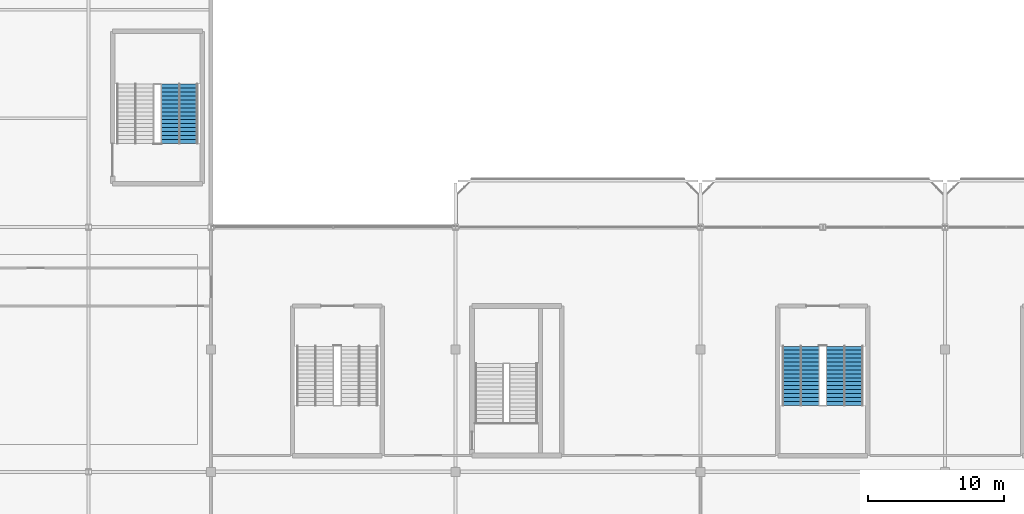
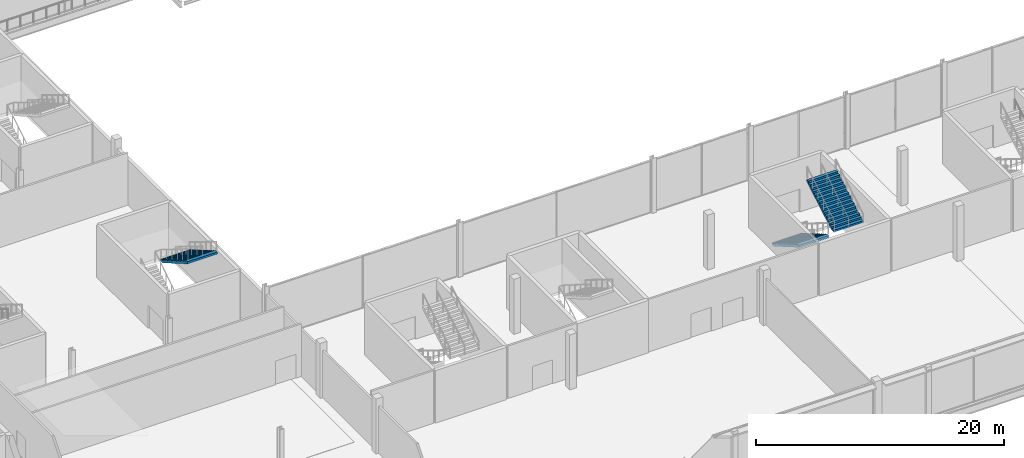
# One storey, part 83 of 113: 3 stair flights, 2 elements without a shape of their own.
"""IFC4 building model written with IfcOpenShell, lengths in metres."""

from ifc_helpers import new_model, si_unit, direction, frame, origin, place, context, subcontext, project, spatial, polygons, material, type_object, element, aggregate, save


model = new_model("IFC4")

# Units and contexts
model_context = context("Model", 3, precision=1e-05, world=origin(), true_north=direction((0.0, 1.0)))
body_context = subcontext(model_context, "Body", "Model", "MODEL_VIEW")
ifc_project = project(units=[si_unit("LENGTHUNIT", "METRE"), si_unit("AREAUNIT", "SQUARE_METRE"), si_unit("VOLUMEUNIT", "CUBIC_METRE"), si_unit("PLANEANGLEUNIT", "RADIAN"), si_unit("MASSUNIT", "GRAM", prefix="KILO")], contexts=[model_context])

# Site, building, storey
site_placement = place(None, origin())
site = spatial("IfcSite", under=ifc_project, at=site_placement, CompositionType="ELEMENT")
building_placement = place(site_placement, origin())
building = spatial("IfcBuilding", under=site, at=building_placement, Name="Kisiwana Market Hall", CompositionType="ELEMENT")
storey_placement = place(building_placement, frame((0.0, 0.0, 6.0)))
storey = spatial("IfcBuildingStorey", under=building, at=storey_placement, Name="L01", CompositionType="ELEMENT", Elevation=6.0)

# Stair, stair flight
ifc_material_1 = material(Name="Concrete C32/40", Category="concrete")
stair_type = type_object("IfcStairType", Name="ST-ESC-5400", PredefinedType="TWO_STRAIGHT_RUN_STAIR", material=ifc_material_1)
stair_1_placement = place(storey_placement, origin())
stair_1 = element("IfcStair", 1, at=stair_1_placement, inside=storey, type_object=stair_type, Name="Escape stair ST-W9-L01", PredefinedType="TWO_STRAIGHT_RUN_STAIR")
ifc_material_2 = material(Name="Concrete C32/40", Category="concrete")
stair_flight_type = type_object("IfcStairFlightType", Name="SF-ESC-5400", PredefinedType="STRAIGHT", material=ifc_material_2)
stair_flight_1_placement = place(storey_placement, frame((42.679931640625, 46.510009765625, 2.699951171875), z_axis=(0.0, 0.0, 1.0), x_axis=(0.0, -1.0, 0.0)))
stair_flight_1 = element("IfcStairFlight", 2, at=stair_flight_1_placement, type_object=stair_flight_type, Name="ST-W9-L01 flight 2", NumberOfRisers=16, NumberOfTreads=15, PredefinedType="STRAIGHT", RiserHeight=0.16875, TreadLength=0.29, context=body_context, shape_type="Tessellation", body=[
    polygons([(0.0, -1.380127, 0.0), (0.0, -0.690125, 0.0), (0.0, -0.000122, 0.0), (0.0, 0.68988, 0.0), (0.0, 1.379883, 0.0), (0.0, -1.380127, 0.168701), (0.0, -0.690125, 0.168701), (0.0, -0.000122, 0.168701), (0.0, 0.68988, 0.168701), (0.0, 1.379883, 0.168701), (0.290039, -1.380127, 0.168701), (0.290039, -0.690125, 0.168701), (0.290039, -0.000122, 0.168701), (0.290039, 0.68988, 0.168701), (0.290039, 1.379883, 0.168701), (0.290039, -1.380127, 0.337402), (0.290039, -0.690125, 0.337402), (0.290039, -0.000122, 0.337402), (0.290039, 0.68988, 0.337402), (0.290039, 1.379883, 0.337402), (0.580078, -1.380127, 0.337402), (0.580078, -0.690125, 0.337402), (0.580078, -0.000122, 0.337402), (0.580078, 0.68988, 0.337402), (0.580078, 1.379883, 0.337402), (0.580078, -1.380127, 0.506348), (0.580078, -0.690125, 0.506348), (0.580078, -0.000122, 0.506348), (0.580078, 0.68988, 0.506348), (0.580078, 1.379883, 0.506348), (0.870117, -1.380127, 0.506348), (0.870117, -0.690125, 0.506348), (0.870117, -0.000122, 0.506348), (0.870117, 0.68988, 0.506348), (0.870117, 1.379883, 0.506348), (0.870117, -1.380127, 0.675049), (0.870117, -0.690125, 0.675049), (0.870117, -0.000122, 0.675049), (0.870117, 0.68988, 0.675049), (0.870117, 1.379883, 0.675049), (1.159912, -1.380127, 0.675049), (1.159912, -0.690125, 0.675049), (1.159912, -0.000122, 0.675049), (1.159912, 0.68988, 0.675049), (1.159912, 1.379883, 0.675049), (1.159912, -1.380127, 0.84375), (1.159912, -0.690125, 0.84375), (1.159912, -0.000122, 0.84375), (1.159912, 0.68988, 0.84375), (1.159912, 1.379883, 0.84375), (1.449951, -1.380127, 0.84375), (1.449951, -0.690125, 0.84375), (1.449951, -0.000122, 0.84375), (1.449951, 0.68988, 0.84375), (1.449951, 1.379883, 0.84375), (1.449951, -1.380127, 1.012451), (1.449951, -0.690125, 1.012451), (1.449951, -0.000122, 1.012451), (1.449951, 0.68988, 1.012451), (1.449951, 1.379883, 1.012451), (1.73999, -1.380127, 1.012451), (1.73999, -0.690125, 1.012451), (1.73999, -0.000122, 1.012451), (1.73999, 0.68988, 1.012451), (1.73999, 1.379883, 1.012451), (1.73999, -1.380127, 1.181152), (1.73999, -0.690125, 1.181152), (1.73999, -0.000122, 1.181152), (1.73999, 0.68988, 1.181152), (1.73999, 1.379883, 1.181152), (2.030029, -1.380127, 1.181152), (2.030029, -0.690125, 1.181152), (2.030029, -0.000122, 1.181152), (2.030029, 0.68988, 1.181152), (2.030029, 1.379883, 1.181152), (2.030029, -1.380127, 1.350098), (2.030029, -0.690125, 1.350098), (2.030029, -0.000122, 1.350098), (2.030029, 0.68988, 1.350098), (2.030029, 1.379883, 1.350098), (2.320068, -1.380127, 1.350098), (2.320068, -0.690125, 1.350098), (2.320068, -0.000122, 1.350098), (2.320068, 0.68988, 1.350098), (2.320068, 1.379883, 1.350098), (2.320068, -1.380127, 1.518799), (2.320068, -0.690125, 1.518799), (2.320068, -0.000122, 1.518799), (2.320068, 0.68988, 1.518799), (2.320068, 1.379883, 1.518799), (2.610107, -1.380127, 1.518799), (2.610107, -0.690125, 1.518799), (2.610107, -0.000122, 1.518799), (2.610107, 0.68988, 1.518799), (2.610107, 1.379883, 1.518799), (2.610107, -1.380127, 1.6875), (2.610107, -0.690125, 1.6875), (2.610107, -0.000122, 1.6875), (2.610107, 0.68988, 1.6875), (2.610107, 1.379883, 1.6875), (2.899902, -1.380127, 1.6875), (2.899902, -0.690125, 1.6875), (2.899902, -0.000122, 1.6875), (2.899902, 0.68988, 1.6875), (2.899902, 1.379883, 1.6875), (2.899902, -1.380127, 1.856201), (2.899902, -0.690125, 1.856201), (2.899902, -0.000122, 1.856201), (2.899902, 0.68988, 1.856201), (2.899902, 1.379883, 1.856201), (3.189941, -1.380127, 1.856201), (3.189941, -0.690125, 1.856201), (3.189941, -0.000122, 1.856201), (3.189941, 0.68988, 1.856201), (3.189941, 1.379883, 1.856201), (3.189941, -1.380127, 2.024902), (3.189941, -0.690125, 2.024902), (3.189941, -0.000122, 2.024902), (3.189941, 0.68988, 2.024902), (3.189941, 1.379883, 2.024902), (3.47998, -1.380127, 2.024902), (3.47998, -0.690125, 2.024902), (3.47998, -0.000122, 2.024902), (3.47998, 0.68988, 2.024902), (3.47998, 1.379883, 2.024902), (3.47998, -1.380127, 2.193848), (3.47998, -0.690125, 2.193848), (3.47998, -0.000122, 2.193848), (3.47998, 0.68988, 2.193848), (3.47998, 1.379883, 2.193848), (3.77002, -1.380127, 2.193848), (3.77002, -0.690125, 2.193848), (3.77002, -0.000122, 2.193848), (3.77002, 0.68988, 2.193848), (3.77002, 1.379883, 2.193848), (3.77002, -1.380127, 2.362549), (3.77002, -0.690125, 2.362549), (3.77002, -0.000122, 2.362549), (3.77002, 0.68988, 2.362549), (3.77002, 1.379883, 2.362549), (4.060059, -1.380127, 2.362549), (4.060059, -0.690125, 2.362549), (4.060059, -0.000122, 2.362549), (4.060059, 0.68988, 2.362549), (4.060059, 1.379883, 2.362549), (4.060059, -1.380127, 2.53125), (4.060059, -0.690125, 2.53125), (4.060059, -0.000122, 2.53125), (4.060059, 0.68988, 2.53125), (4.060059, 1.379883, 2.53125), (4.350098, -1.380127, 2.53125), (4.350098, -0.690125, 2.53125), (4.350098, -0.000122, 2.53125), (4.350098, 0.68988, 2.53125), (4.350098, 1.379883, 2.53125), (4.350098, -1.380127, 2.322998), (4.350098, -0.690125, 2.322998), (4.350098, -0.000122, 2.322998), (4.350098, 0.68988, 2.322998), (4.350098, 1.379883, 2.322998), (0.357666, -1.380127, 0.0), (0.357666, -0.690125, 0.0), (0.357666, -0.000122, 0.0), (0.357666, 0.68988, 0.0), (0.357666, 1.379883, 0.0)], [[[1, 6, 7, 2]], [[2, 7, 8, 3]], [[3, 8, 9, 4]], [[4, 9, 10, 5]], [[6, 11, 12, 7]], [[7, 12, 13, 8]], [[8, 13, 14, 9]], [[9, 14, 15, 10]], [[11, 16, 17, 12]], [[12, 17, 18, 13]], [[13, 18, 19, 14]], [[14, 19, 20, 15]], [[16, 21, 22, 17]], [[17, 22, 23, 18]], [[18, 23, 24, 19]], [[19, 24, 25, 20]], [[21, 26, 27, 22]], [[22, 27, 28, 23]], [[23, 28, 29, 24]], [[24, 29, 30, 25]], [[26, 31, 32, 27]], [[27, 32, 33, 28]], [[28, 33, 34, 29]], [[29, 34, 35, 30]], [[31, 36, 37, 32]], [[32, 37, 38, 33]], [[33, 38, 39, 34]], [[34, 39, 40, 35]], [[36, 41, 42, 37]], [[37, 42, 43, 38]], [[38, 43, 44, 39]], [[39, 44, 45, 40]], [[41, 46, 47, 42]], [[42, 47, 48, 43]], [[43, 48, 49, 44]], [[44, 49, 50, 45]], [[46, 51, 52, 47]], [[47, 52, 53, 48]], [[48, 53, 54, 49]], [[49, 54, 55, 50]], [[51, 56, 57, 52]], [[52, 57, 58, 53]], [[53, 58, 59, 54]], [[54, 59, 60, 55]], [[56, 61, 62, 57]], [[57, 62, 63, 58]], [[58, 63, 64, 59]], [[59, 64, 65, 60]], [[61, 66, 67, 62]], [[62, 67, 68, 63]], [[63, 68, 69, 64]], [[64, 69, 70, 65]], [[66, 71, 72, 67]], [[67, 72, 73, 68]], [[68, 73, 74, 69]], [[69, 74, 75, 70]], [[71, 76, 77, 72]], [[72, 77, 78, 73]], [[73, 78, 79, 74]], [[74, 79, 80, 75]], [[76, 81, 82, 77]], [[77, 82, 83, 78]], [[78, 83, 84, 79]], [[79, 84, 85, 80]], [[81, 86, 87, 82]], [[82, 87, 88, 83]], [[83, 88, 89, 84]], [[84, 89, 90, 85]], [[86, 91, 92, 87]], [[87, 92, 93, 88]], [[88, 93, 94, 89]], [[89, 94, 95, 90]], [[91, 96, 97, 92]], [[92, 97, 98, 93]], [[93, 98, 99, 94]], [[94, 99, 100, 95]], [[96, 101, 102, 97]], [[97, 102, 103, 98]], [[98, 103, 104, 99]], [[99, 104, 105, 100]], [[101, 106, 107, 102]], [[102, 107, 108, 103]], [[103, 108, 109, 104]], [[104, 109, 110, 105]], [[106, 111, 112, 107]], [[107, 112, 113, 108]], [[108, 113, 114, 109]], [[109, 114, 115, 110]], [[111, 116, 117, 112]], [[112, 117, 118, 113]], [[113, 118, 119, 114]], [[114, 119, 120, 115]], [[116, 121, 122, 117]], [[117, 122, 123, 118]], [[118, 123, 124, 119]], [[119, 124, 125, 120]], [[121, 126, 127, 122]], [[122, 127, 128, 123]], [[123, 128, 129, 124]], [[124, 129, 130, 125]], [[126, 131, 132, 127]], [[127, 132, 133, 128]], [[128, 133, 134, 129]], [[129, 134, 135, 130]], [[131, 136, 137, 132]], [[132, 137, 138, 133]], [[133, 138, 139, 134]], [[134, 139, 140, 135]], [[136, 141, 142, 137]], [[137, 142, 143, 138]], [[138, 143, 144, 139]], [[139, 144, 145, 140]], [[141, 146, 147, 142]], [[142, 147, 148, 143]], [[143, 148, 149, 144]], [[144, 149, 150, 145]], [[146, 151, 152, 147]], [[147, 152, 153, 148]], [[148, 153, 154, 149]], [[149, 154, 155, 150]], [[151, 156, 157, 152]], [[152, 157, 158, 153]], [[153, 158, 159, 154]], [[154, 159, 160, 155]], [[156, 161, 162, 157]], [[157, 162, 163, 158]], [[158, 163, 164, 159]], [[159, 164, 165, 160]], [[161, 1, 2, 162]], [[162, 2, 3, 163]], [[163, 3, 4, 164]], [[164, 4, 5, 165]], [[161, 156, 151, 146, 141, 136, 131, 126, 121, 116, 111, 106, 101, 96, 91, 86, 81, 76, 71, 66, 61, 56, 51, 46, 41, 36, 31, 26, 21, 16, 11, 6, 1]], [[5, 10, 15, 20, 25, 30, 35, 40, 45, 50, 55, 60, 65, 70, 75, 80, 85, 90, 95, 100, 105, 110, 115, 120, 125, 130, 135, 140, 145, 150, 155, 160, 165]]], closed=True),
])
aggregate(stair_1, [stair_flight_1])

# Stair, stair flights
stair_2_placement = place(storey_placement, origin())
stair_2 = element("IfcStair", 3, at=stair_2_placement, inside=storey, type_object=stair_type, Name="Escape stair ST-S4-L01", PredefinedType="TWO_STRAIGHT_RUN_STAIR")
stair_flight_2_placement = place(storey_placement, frame((88.389892578125, 27.239990234375, 0.0), z_axis=(0.0, 0.0, 1.0), x_axis=(0.0, -1.0, 0.0)))
stair_flight_2 = element("IfcStairFlight", 4, at=stair_flight_2_placement, type_object=stair_flight_type, Name="ST-S4-L01 flight 1", NumberOfRisers=16, NumberOfTreads=15, PredefinedType="STRAIGHT", RiserHeight=0.16875, TreadLength=0.29, context=body_context, shape_type="Tessellation", body=[
    polygons([(0.0, -1.380127, 0.0), (0.0, -0.690125, 0.0), (0.0, -0.000122, 0.0), (0.0, 0.68988, 0.0), (0.0, 1.379883, 0.0), (0.0, -1.380127, 0.168701), (0.0, -0.690125, 0.168701), (0.0, -0.000122, 0.168701), (0.0, 0.68988, 0.168701), (0.0, 1.379883, 0.168701), (0.290039, -1.380127, 0.168701), (0.290039, -0.690125, 0.168701), (0.290039, -0.000122, 0.168701), (0.290039, 0.68988, 0.168701), (0.290039, 1.379883, 0.168701), (0.290039, -1.380127, 0.337402), (0.290039, -0.690125, 0.337402), (0.290039, -0.000122, 0.337402), (0.290039, 0.68988, 0.337402), (0.290039, 1.379883, 0.337402), (0.580078, -1.380127, 0.337402), (0.580078, -0.690125, 0.337402), (0.580078, -0.000122, 0.337402), (0.580078, 0.68988, 0.337402), (0.580078, 1.379883, 0.337402), (0.580078, -1.380127, 0.506348), (0.580078, -0.690125, 0.506348), (0.580078, -0.000122, 0.506348), (0.580078, 0.68988, 0.506348), (0.580078, 1.379883, 0.506348), (0.870117, -1.380127, 0.506348), (0.870117, -0.690125, 0.506348), (0.870117, -0.000122, 0.506348), (0.870117, 0.68988, 0.506348), (0.870117, 1.379883, 0.506348), (0.870117, -1.380127, 0.675049), (0.870117, -0.690125, 0.675049), (0.870117, -0.000122, 0.675049), (0.870117, 0.68988, 0.675049), (0.870117, 1.379883, 0.675049), (1.159912, -1.380127, 0.675049), (1.159912, -0.690125, 0.675049), (1.159912, -0.000122, 0.675049), (1.159912, 0.68988, 0.675049), (1.159912, 1.379883, 0.675049), (1.159912, -1.380127, 0.84375), (1.159912, -0.690125, 0.84375), (1.159912, -0.000122, 0.84375), (1.159912, 0.68988, 0.84375), (1.159912, 1.379883, 0.84375), (1.449951, -1.380127, 0.84375), (1.449951, -0.690125, 0.84375), (1.449951, -0.000122, 0.84375), (1.449951, 0.68988, 0.84375), (1.449951, 1.379883, 0.84375), (1.449951, -1.380127, 1.012451), (1.449951, -0.690125, 1.012451), (1.449951, -0.000122, 1.012451), (1.449951, 0.68988, 1.012451), (1.449951, 1.379883, 1.012451), (1.73999, -1.380127, 1.012451), (1.73999, -0.690125, 1.012451), (1.73999, -0.000122, 1.012451), (1.73999, 0.68988, 1.012451), (1.73999, 1.379883, 1.012451), (1.73999, -1.380127, 1.181152), (1.73999, -0.690125, 1.181152), (1.73999, -0.000122, 1.181152), (1.73999, 0.68988, 1.181152), (1.73999, 1.379883, 1.181152), (2.030029, -1.380127, 1.181152), (2.030029, -0.690125, 1.181152), (2.030029, -0.000122, 1.181152), (2.030029, 0.68988, 1.181152), (2.030029, 1.379883, 1.181152), (2.030029, -1.380127, 1.350098), (2.030029, -0.690125, 1.350098), (2.030029, -0.000122, 1.350098), (2.030029, 0.68988, 1.350098), (2.030029, 1.379883, 1.350098), (2.320068, -1.380127, 1.350098), (2.320068, -0.690125, 1.350098), (2.320068, -0.000122, 1.350098), (2.320068, 0.68988, 1.350098), (2.320068, 1.379883, 1.350098), (2.320068, -1.380127, 1.518799), (2.320068, -0.690125, 1.518799), (2.320068, -0.000122, 1.518799), (2.320068, 0.68988, 1.518799), (2.320068, 1.379883, 1.518799), (2.610107, -1.380127, 1.518799), (2.610107, -0.690125, 1.518799), (2.610107, -0.000122, 1.518799), (2.610107, 0.68988, 1.518799), (2.610107, 1.379883, 1.518799), (2.610107, -1.380127, 1.6875), (2.610107, -0.690125, 1.6875), (2.610107, -0.000122, 1.6875), (2.610107, 0.68988, 1.6875), (2.610107, 1.379883, 1.6875), (2.899902, -1.380127, 1.6875), (2.899902, -0.690125, 1.6875), (2.899902, -0.000122, 1.6875), (2.899902, 0.68988, 1.6875), (2.899902, 1.379883, 1.6875), (2.899902, -1.380127, 1.856201), (2.899902, -0.690125, 1.856201), (2.899902, -0.000122, 1.856201), (2.899902, 0.68988, 1.856201), (2.899902, 1.379883, 1.856201), (3.189941, -1.380127, 1.856201), (3.189941, -0.690125, 1.856201), (3.189941, -0.000122, 1.856201), (3.189941, 0.68988, 1.856201), (3.189941, 1.379883, 1.856201), (3.189941, -1.380127, 2.024902), (3.189941, -0.690125, 2.024902), (3.189941, -0.000122, 2.024902), (3.189941, 0.68988, 2.024902), (3.189941, 1.379883, 2.024902), (3.47998, -1.380127, 2.024902), (3.47998, -0.690125, 2.024902), (3.47998, -0.000122, 2.024902), (3.47998, 0.68988, 2.024902), (3.47998, 1.379883, 2.024902), (3.47998, -1.380127, 2.193848), (3.47998, -0.690125, 2.193848), (3.47998, -0.000122, 2.193848), (3.47998, 0.68988, 2.193848), (3.47998, 1.379883, 2.193848), (3.77002, -1.380127, 2.193848), (3.77002, -0.690125, 2.193848), (3.77002, -0.000122, 2.193848), (3.77002, 0.68988, 2.193848), (3.77002, 1.379883, 2.193848), (3.77002, -1.380127, 2.362549), (3.77002, -0.690125, 2.362549), (3.77002, -0.000122, 2.362549), (3.77002, 0.68988, 2.362549), (3.77002, 1.379883, 2.362549), (4.060059, -1.380127, 2.362549), (4.060059, -0.690125, 2.362549), (4.060059, -0.000122, 2.362549), (4.060059, 0.68988, 2.362549), (4.060059, 1.379883, 2.362549), (4.060059, -1.380127, 2.53125), (4.060059, -0.690125, 2.53125), (4.060059, -0.000122, 2.53125), (4.060059, 0.68988, 2.53125), (4.060059, 1.379883, 2.53125), (4.350098, -1.380127, 2.53125), (4.350098, -0.690125, 2.53125), (4.350098, -0.000122, 2.53125), (4.350098, 0.68988, 2.53125), (4.350098, 1.379883, 2.53125), (4.350098, -1.380127, 2.322998), (4.350098, -0.690125, 2.322998), (4.350098, -0.000122, 2.322998), (4.350098, 0.68988, 2.322998), (4.350098, 1.379883, 2.322998), (0.357666, -1.380127, 0.0), (0.357666, -0.690125, 0.0), (0.357666, -0.000122, 0.0), (0.357666, 0.68988, 0.0), (0.357666, 1.379883, 0.0)], [[[1, 6, 7, 2]], [[2, 7, 8, 3]], [[3, 8, 9, 4]], [[4, 9, 10, 5]], [[6, 11, 12, 7]], [[7, 12, 13, 8]], [[8, 13, 14, 9]], [[9, 14, 15, 10]], [[11, 16, 17, 12]], [[12, 17, 18, 13]], [[13, 18, 19, 14]], [[14, 19, 20, 15]], [[16, 21, 22, 17]], [[17, 22, 23, 18]], [[18, 23, 24, 19]], [[19, 24, 25, 20]], [[21, 26, 27, 22]], [[22, 27, 28, 23]], [[23, 28, 29, 24]], [[24, 29, 30, 25]], [[26, 31, 32, 27]], [[27, 32, 33, 28]], [[28, 33, 34, 29]], [[29, 34, 35, 30]], [[31, 36, 37, 32]], [[32, 37, 38, 33]], [[33, 38, 39, 34]], [[34, 39, 40, 35]], [[36, 41, 42, 37]], [[37, 42, 43, 38]], [[38, 43, 44, 39]], [[39, 44, 45, 40]], [[41, 46, 47, 42]], [[42, 47, 48, 43]], [[43, 48, 49, 44]], [[44, 49, 50, 45]], [[46, 51, 52, 47]], [[47, 52, 53, 48]], [[48, 53, 54, 49]], [[49, 54, 55, 50]], [[51, 56, 57, 52]], [[52, 57, 58, 53]], [[53, 58, 59, 54]], [[54, 59, 60, 55]], [[56, 61, 62, 57]], [[57, 62, 63, 58]], [[58, 63, 64, 59]], [[59, 64, 65, 60]], [[61, 66, 67, 62]], [[62, 67, 68, 63]], [[63, 68, 69, 64]], [[64, 69, 70, 65]], [[66, 71, 72, 67]], [[67, 72, 73, 68]], [[68, 73, 74, 69]], [[69, 74, 75, 70]], [[71, 76, 77, 72]], [[72, 77, 78, 73]], [[73, 78, 79, 74]], [[74, 79, 80, 75]], [[76, 81, 82, 77]], [[77, 82, 83, 78]], [[78, 83, 84, 79]], [[79, 84, 85, 80]], [[81, 86, 87, 82]], [[82, 87, 88, 83]], [[83, 88, 89, 84]], [[84, 89, 90, 85]], [[86, 91, 92, 87]], [[87, 92, 93, 88]], [[88, 93, 94, 89]], [[89, 94, 95, 90]], [[91, 96, 97, 92]], [[92, 97, 98, 93]], [[93, 98, 99, 94]], [[94, 99, 100, 95]], [[96, 101, 102, 97]], [[97, 102, 103, 98]], [[98, 103, 104, 99]], [[99, 104, 105, 100]], [[101, 106, 107, 102]], [[102, 107, 108, 103]], [[103, 108, 109, 104]], [[104, 109, 110, 105]], [[106, 111, 112, 107]], [[107, 112, 113, 108]], [[108, 113, 114, 109]], [[109, 114, 115, 110]], [[111, 116, 117, 112]], [[112, 117, 118, 113]], [[113, 118, 119, 114]], [[114, 119, 120, 115]], [[116, 121, 122, 117]], [[117, 122, 123, 118]], [[118, 123, 124, 119]], [[119, 124, 125, 120]], [[121, 126, 127, 122]], [[122, 127, 128, 123]], [[123, 128, 129, 124]], [[124, 129, 130, 125]], [[126, 131, 132, 127]], [[127, 132, 133, 128]], [[128, 133, 134, 129]], [[129, 134, 135, 130]], [[131, 136, 137, 132]], [[132, 137, 138, 133]], [[133, 138, 139, 134]], [[134, 139, 140, 135]], [[136, 141, 142, 137]], [[137, 142, 143, 138]], [[138, 143, 144, 139]], [[139, 144, 145, 140]], [[141, 146, 147, 142]], [[142, 147, 148, 143]], [[143, 148, 149, 144]], [[144, 149, 150, 145]], [[146, 151, 152, 147]], [[147, 152, 153, 148]], [[148, 153, 154, 149]], [[149, 154, 155, 150]], [[151, 156, 157, 152]], [[152, 157, 158, 153]], [[153, 158, 159, 154]], [[154, 159, 160, 155]], [[156, 161, 162, 157]], [[157, 162, 163, 158]], [[158, 163, 164, 159]], [[159, 164, 165, 160]], [[161, 1, 2, 162]], [[162, 2, 3, 163]], [[163, 3, 4, 164]], [[164, 4, 5, 165]], [[161, 156, 151, 146, 141, 136, 131, 126, 121, 116, 111, 106, 101, 96, 91, 86, 81, 76, 71, 66, 61, 56, 51, 46, 41, 36, 31, 26, 21, 16, 11, 6, 1]], [[5, 10, 15, 20, 25, 30, 35, 40, 45, 50, 55, 60, 65, 70, 75, 80, 85, 90, 95, 100, 105, 110, 115, 120, 125, 130, 135, 140, 145, 150, 155, 160, 165]]], closed=True),
])
stair_flight_3_placement = place(storey_placement, frame((91.610107421875, 22.889892578125, 2.699951171875), z_axis=(0.0, 0.0, 1.0), x_axis=(0.0, 1.0, 0.0)))
stair_flight_3 = element("IfcStairFlight", 5, at=stair_flight_3_placement, type_object=stair_flight_type, Name="ST-S4-L01 flight 2", NumberOfRisers=16, NumberOfTreads=15, PredefinedType="STRAIGHT", RiserHeight=0.16875, TreadLength=0.29, context=body_context, shape_type="Tessellation", body=[
    polygons([(0.0, -1.380127, 0.0), (0.0, -0.690125, 0.0), (0.0, -0.000122, 0.0), (0.0, 0.68988, 0.0), (0.0, 1.379883, 0.0), (0.0, -1.380127, 0.168701), (0.0, -0.690125, 0.168701), (0.0, -0.000122, 0.168701), (0.0, 0.68988, 0.168701), (0.0, 1.379883, 0.168701), (0.290039, -1.380127, 0.168701), (0.290039, -0.690125, 0.168701), (0.290039, -0.000122, 0.168701), (0.290039, 0.68988, 0.168701), (0.290039, 1.379883, 0.168701), (0.290039, -1.380127, 0.337402), (0.290039, -0.690125, 0.337402), (0.290039, -0.000122, 0.337402), (0.290039, 0.68988, 0.337402), (0.290039, 1.379883, 0.337402), (0.580078, -1.380127, 0.337402), (0.580078, -0.690125, 0.337402), (0.580078, -0.000122, 0.337402), (0.580078, 0.68988, 0.337402), (0.580078, 1.379883, 0.337402), (0.580078, -1.380127, 0.506348), (0.580078, -0.690125, 0.506348), (0.580078, -0.000122, 0.506348), (0.580078, 0.68988, 0.506348), (0.580078, 1.379883, 0.506348), (0.870117, -1.380127, 0.506348), (0.870117, -0.690125, 0.506348), (0.870117, -0.000122, 0.506348), (0.870117, 0.68988, 0.506348), (0.870117, 1.379883, 0.506348), (0.870117, -1.380127, 0.675049), (0.870117, -0.690125, 0.675049), (0.870117, -0.000122, 0.675049), (0.870117, 0.68988, 0.675049), (0.870117, 1.379883, 0.675049), (1.159912, -1.380127, 0.675049), (1.159912, -0.690125, 0.675049), (1.159912, -0.000122, 0.675049), (1.159912, 0.68988, 0.675049), (1.159912, 1.379883, 0.675049), (1.159912, -1.380127, 0.84375), (1.159912, -0.690125, 0.84375), (1.159912, -0.000122, 0.84375), (1.159912, 0.68988, 0.84375), (1.159912, 1.379883, 0.84375), (1.449951, -1.380127, 0.84375), (1.449951, -0.690125, 0.84375), (1.449951, -0.000122, 0.84375), (1.449951, 0.68988, 0.84375), (1.449951, 1.379883, 0.84375), (1.449951, -1.380127, 1.012451), (1.449951, -0.690125, 1.012451), (1.449951, -0.000122, 1.012451), (1.449951, 0.68988, 1.012451), (1.449951, 1.379883, 1.012451), (1.73999, -1.380127, 1.012451), (1.73999, -0.690125, 1.012451), (1.73999, -0.000122, 1.012451), (1.73999, 0.68988, 1.012451), (1.73999, 1.379883, 1.012451), (1.73999, -1.380127, 1.181152), (1.73999, -0.690125, 1.181152), (1.73999, -0.000122, 1.181152), (1.73999, 0.68988, 1.181152), (1.73999, 1.379883, 1.181152), (2.030029, -1.380127, 1.181152), (2.030029, -0.690125, 1.181152), (2.030029, -0.000122, 1.181152), (2.030029, 0.68988, 1.181152), (2.030029, 1.379883, 1.181152), (2.030029, -1.380127, 1.350098), (2.030029, -0.690125, 1.350098), (2.030029, -0.000122, 1.350098), (2.030029, 0.68988, 1.350098), (2.030029, 1.379883, 1.350098), (2.320068, -1.380127, 1.350098), (2.320068, -0.690125, 1.350098), (2.320068, -0.000122, 1.350098), (2.320068, 0.68988, 1.350098), (2.320068, 1.379883, 1.350098), (2.320068, -1.380127, 1.518799), (2.320068, -0.690125, 1.518799), (2.320068, -0.000122, 1.518799), (2.320068, 0.68988, 1.518799), (2.320068, 1.379883, 1.518799), (2.610107, -1.380127, 1.518799), (2.610107, -0.690125, 1.518799), (2.610107, -0.000122, 1.518799), (2.610107, 0.68988, 1.518799), (2.610107, 1.379883, 1.518799), (2.610107, -1.380127, 1.6875), (2.610107, -0.690125, 1.6875), (2.610107, -0.000122, 1.6875), (2.610107, 0.68988, 1.6875), (2.610107, 1.379883, 1.6875), (2.899902, -1.380127, 1.6875), (2.899902, -0.690125, 1.6875), (2.899902, -0.000122, 1.6875), (2.899902, 0.68988, 1.6875), (2.899902, 1.379883, 1.6875), (2.899902, -1.380127, 1.856201), (2.899902, -0.690125, 1.856201), (2.899902, -0.000122, 1.856201), (2.899902, 0.68988, 1.856201), (2.899902, 1.379883, 1.856201), (3.189941, -1.380127, 1.856201), (3.189941, -0.690125, 1.856201), (3.189941, -0.000122, 1.856201), (3.189941, 0.68988, 1.856201), (3.189941, 1.379883, 1.856201), (3.189941, -1.380127, 2.024902), (3.189941, -0.690125, 2.024902), (3.189941, -0.000122, 2.024902), (3.189941, 0.68988, 2.024902), (3.189941, 1.379883, 2.024902), (3.47998, -1.380127, 2.024902), (3.47998, -0.690125, 2.024902), (3.47998, -0.000122, 2.024902), (3.47998, 0.68988, 2.024902), (3.47998, 1.379883, 2.024902), (3.47998, -1.380127, 2.193848), (3.47998, -0.690125, 2.193848), (3.47998, -0.000122, 2.193848), (3.47998, 0.68988, 2.193848), (3.47998, 1.379883, 2.193848), (3.77002, -1.380127, 2.193848), (3.77002, -0.690125, 2.193848), (3.77002, -0.000122, 2.193848), (3.77002, 0.68988, 2.193848), (3.77002, 1.379883, 2.193848), (3.77002, -1.380127, 2.362549), (3.77002, -0.690125, 2.362549), (3.77002, -0.000122, 2.362549), (3.77002, 0.68988, 2.362549), (3.77002, 1.379883, 2.362549), (4.060059, -1.380127, 2.362549), (4.060059, -0.690125, 2.362549), (4.060059, -0.000122, 2.362549), (4.060059, 0.68988, 2.362549), (4.060059, 1.379883, 2.362549), (4.060059, -1.380127, 2.53125), (4.060059, -0.690125, 2.53125), (4.060059, -0.000122, 2.53125), (4.060059, 0.68988, 2.53125), (4.060059, 1.379883, 2.53125), (4.350098, -1.380127, 2.53125), (4.350098, -0.690125, 2.53125), (4.350098, -0.000122, 2.53125), (4.350098, 0.68988, 2.53125), (4.350098, 1.379883, 2.53125), (4.350098, -1.380127, 2.322998), (4.350098, -0.690125, 2.322998), (4.350098, -0.000122, 2.322998), (4.350098, 0.68988, 2.322998), (4.350098, 1.379883, 2.322998), (0.357666, -1.380127, 0.0), (0.357666, -0.690125, 0.0), (0.357666, -0.000122, 0.0), (0.357666, 0.68988, 0.0), (0.357666, 1.379883, 0.0)], [[[1, 6, 7, 2]], [[2, 7, 8, 3]], [[3, 8, 9, 4]], [[4, 9, 10, 5]], [[6, 11, 12, 7]], [[7, 12, 13, 8]], [[8, 13, 14, 9]], [[9, 14, 15, 10]], [[11, 16, 17, 12]], [[12, 17, 18, 13]], [[13, 18, 19, 14]], [[14, 19, 20, 15]], [[16, 21, 22, 17]], [[17, 22, 23, 18]], [[18, 23, 24, 19]], [[19, 24, 25, 20]], [[21, 26, 27, 22]], [[22, 27, 28, 23]], [[23, 28, 29, 24]], [[24, 29, 30, 25]], [[26, 31, 32, 27]], [[27, 32, 33, 28]], [[28, 33, 34, 29]], [[29, 34, 35, 30]], [[31, 36, 37, 32]], [[32, 37, 38, 33]], [[33, 38, 39, 34]], [[34, 39, 40, 35]], [[36, 41, 42, 37]], [[37, 42, 43, 38]], [[38, 43, 44, 39]], [[39, 44, 45, 40]], [[41, 46, 47, 42]], [[42, 47, 48, 43]], [[43, 48, 49, 44]], [[44, 49, 50, 45]], [[46, 51, 52, 47]], [[47, 52, 53, 48]], [[48, 53, 54, 49]], [[49, 54, 55, 50]], [[51, 56, 57, 52]], [[52, 57, 58, 53]], [[53, 58, 59, 54]], [[54, 59, 60, 55]], [[56, 61, 62, 57]], [[57, 62, 63, 58]], [[58, 63, 64, 59]], [[59, 64, 65, 60]], [[61, 66, 67, 62]], [[62, 67, 68, 63]], [[63, 68, 69, 64]], [[64, 69, 70, 65]], [[66, 71, 72, 67]], [[67, 72, 73, 68]], [[68, 73, 74, 69]], [[69, 74, 75, 70]], [[71, 76, 77, 72]], [[72, 77, 78, 73]], [[73, 78, 79, 74]], [[74, 79, 80, 75]], [[76, 81, 82, 77]], [[77, 82, 83, 78]], [[78, 83, 84, 79]], [[79, 84, 85, 80]], [[81, 86, 87, 82]], [[82, 87, 88, 83]], [[83, 88, 89, 84]], [[84, 89, 90, 85]], [[86, 91, 92, 87]], [[87, 92, 93, 88]], [[88, 93, 94, 89]], [[89, 94, 95, 90]], [[91, 96, 97, 92]], [[92, 97, 98, 93]], [[93, 98, 99, 94]], [[94, 99, 100, 95]], [[96, 101, 102, 97]], [[97, 102, 103, 98]], [[98, 103, 104, 99]], [[99, 104, 105, 100]], [[101, 106, 107, 102]], [[102, 107, 108, 103]], [[103, 108, 109, 104]], [[104, 109, 110, 105]], [[106, 111, 112, 107]], [[107, 112, 113, 108]], [[108, 113, 114, 109]], [[109, 114, 115, 110]], [[111, 116, 117, 112]], [[112, 117, 118, 113]], [[113, 118, 119, 114]], [[114, 119, 120, 115]], [[116, 121, 122, 117]], [[117, 122, 123, 118]], [[118, 123, 124, 119]], [[119, 124, 125, 120]], [[121, 126, 127, 122]], [[122, 127, 128, 123]], [[123, 128, 129, 124]], [[124, 129, 130, 125]], [[126, 131, 132, 127]], [[127, 132, 133, 128]], [[128, 133, 134, 129]], [[129, 134, 135, 130]], [[131, 136, 137, 132]], [[132, 137, 138, 133]], [[133, 138, 139, 134]], [[134, 139, 140, 135]], [[136, 141, 142, 137]], [[137, 142, 143, 138]], [[138, 143, 144, 139]], [[139, 144, 145, 140]], [[141, 146, 147, 142]], [[142, 147, 148, 143]], [[143, 148, 149, 144]], [[144, 149, 150, 145]], [[146, 151, 152, 147]], [[147, 152, 153, 148]], [[148, 153, 154, 149]], [[149, 154, 155, 150]], [[151, 156, 157, 152]], [[152, 157, 158, 153]], [[153, 158, 159, 154]], [[154, 159, 160, 155]], [[156, 161, 162, 157]], [[157, 162, 163, 158]], [[158, 163, 164, 159]], [[159, 164, 165, 160]], [[161, 1, 2, 162]], [[162, 2, 3, 163]], [[163, 3, 4, 164]], [[164, 4, 5, 165]], [[161, 156, 151, 146, 141, 136, 131, 126, 121, 116, 111, 106, 101, 96, 91, 86, 81, 76, 71, 66, 61, 56, 51, 46, 41, 36, 31, 26, 21, 16, 11, 6, 1]], [[5, 10, 15, 20, 25, 30, 35, 40, 45, 50, 55, 60, 65, 70, 75, 80, 85, 90, 95, 100, 105, 110, 115, 120, 125, 130, 135, 140, 145, 150, 155, 160, 165]]], closed=True),
])
aggregate(stair_2, [stair_flight_2, stair_flight_3])

save(model, "model.ifc")
